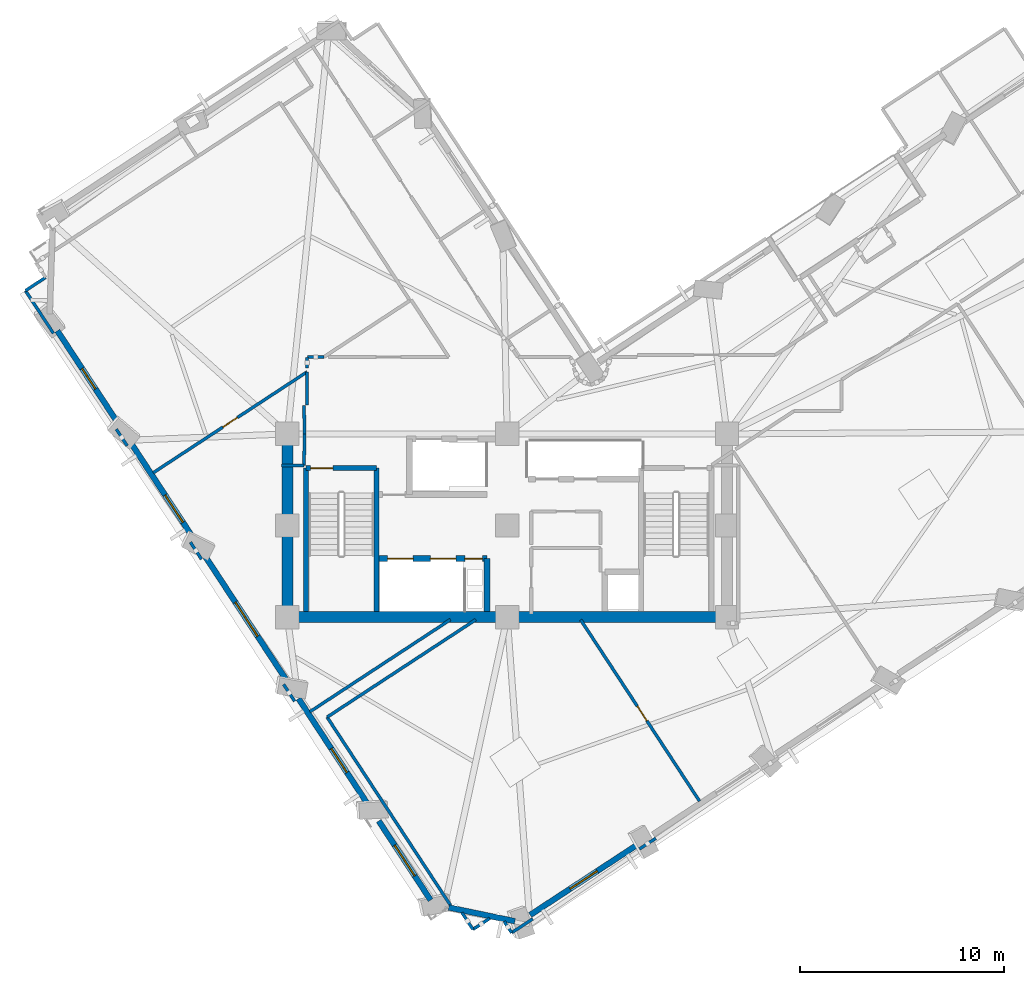
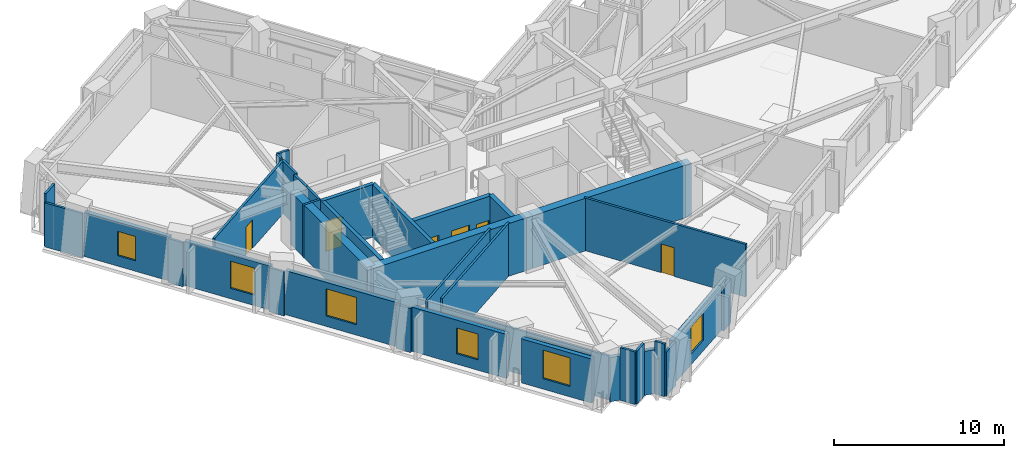
# One storey, part 5 of 14: 36 walls, 6 doors, 6 windows, 12 openings.
"""IFC4 building model written with IfcOpenShell, lengths in metres."""

import ifcopenshell
import ifcopenshell.guid

model = None  # the IFC model being written
_history = None  # IfcOwnerHistory: only IFC2X3 demands one
_inside = {}  # id of a spatial element -> (the spatial element, [elements in it])
_under = {}  # id of a project, library or spatial element -> (it, [spatial elements below it])
_declared = {}  # id of a project -> (the project, [libraries it declares])
_typed = {}  # id of a type object -> (the type object, [elements of that type])
_made_of = {}  # id of a material, layer set ... -> (it, [elements and type objects made of it])


def new_model(schema):
    """Start an empty IFC model of exactly this schema.

    Asked for "IFC4X3", IfcOpenShell would pick the latest addendum, in which some entities
    have other attributes; the version numbers below select the first issue.
    IFC2X3 requires an IfcOwnerHistory on every rooted entity: one is made here for all.
    """
    global model, _history
    if schema == "IFC4X3":
        model = ifcopenshell.file(schema_version=(4, 3, 0, 0))
    else:
        model = ifcopenshell.file(schema=schema)
    _inside.clear()
    _under.clear()
    _declared.clear()
    _typed.clear()
    _made_of.clear()
    _history = None
    if model.schema == "IFC2X3":
        org = make("IfcOrganization", Name="unknown")
        user = make(
            "IfcPersonAndOrganization",
            ThePerson=make("IfcPerson", FamilyName="unknown"),
            TheOrganization=org,
        )
        app = make(
            "IfcApplication",
            ApplicationDeveloper=org,
            Version="unknown",
            ApplicationFullName="unknown",
            ApplicationIdentifier="unknown",
        )
        _history = make(
            "IfcOwnerHistory",
            OwningUser=user,
            OwningApplication=app,
            ChangeAction="ADDED",
            CreationDate=0,
        )
    return model


def make(cls, **values):
    """One entity of the class cls with the attributes given. An attribute that is None is left unset."""
    return model.create_entity(
        cls, **{name: value for name, value in values.items() if value is not None}
    )


def rooted(cls, **values):
    """An entity with a GlobalId (a new one), such as an element, a storey or a relation."""
    return make(cls, GlobalId=ifcopenshell.guid.new(), OwnerHistory=_history, **values)


def si_unit(unit_type, name, prefix=None):
    """IfcSIUnit, for example si_unit("LENGTHUNIT", "METRE", prefix="MILLI")."""
    return make("IfcSIUnit", UnitType=unit_type, Prefix=prefix, Name=name)


def assignment(units):
    """IfcUnitAssignment: the units of a project."""
    return None if units is None else make("IfcUnitAssignment", Units=units)


def point(xyz):
    """IfcCartesianPoint."""
    return None if xyz is None else make("IfcCartesianPoint", Coordinates=xyz)


def direction(xyz):
    """IfcDirection."""
    return None if xyz is None else make("IfcDirection", DirectionRatios=xyz)


def frame(location, z_axis=None, x_axis=None):
    """IfcAxis2Placement3D, a coordinate frame: its origin and axes. An axis left out is left unset."""
    return make(
        "IfcAxis2Placement3D",
        Location=point(location),
        Axis=direction(z_axis),
        RefDirection=direction(x_axis),
    )


def frame_2d(location, x_axis=None):
    """IfcAxis2Placement2D, a coordinate frame in the plane: its origin and x axis."""
    return make(
        "IfcAxis2Placement2D", Location=point(location), RefDirection=direction(x_axis)
    )


def origin():
    """The frame at (0, 0, 0) with its axes left unset."""
    return frame((0.0, 0.0, 0.0))


def place(relative_to, where):
    """IfcLocalPlacement: puts the frame where relative to a parent placement (None: the world)."""
    return make(
        "IfcLocalPlacement", PlacementRelTo=relative_to, RelativePlacement=where
    )


def context(
    kind, dimensions, precision=None, world=None, true_north=None, identifier=None
):
    """IfcGeometricRepresentationContext, for example the 3D "Model" context."""
    return make(
        "IfcGeometricRepresentationContext",
        ContextIdentifier=identifier,
        ContextType=kind,
        CoordinateSpaceDimension=dimensions,
        Precision=precision,
        WorldCoordinateSystem=world,
        TrueNorth=true_north,
    )


def subcontext(parent, identifier, kind, view, scale=None):
    """IfcGeometricRepresentationSubContext, for example "Body" below "Model"."""
    return make(
        "IfcGeometricRepresentationSubContext",
        ContextIdentifier=identifier,
        ContextType=kind,
        ParentContext=parent,
        TargetScale=scale,
        TargetView=view,
    )


def project(units=None, contexts=None):
    """IfcProject with its units and contexts."""
    return rooted(
        "IfcProject",
        Name="project",
        RepresentationContexts=contexts,
        UnitsInContext=assignment(units),
    )


def spatial(cls, under=None, at=None, **own):
    """A site, building, storey or space (cls), placed at a placement, below another one or the project."""
    s = rooted(cls, ObjectPlacement=at, **own)
    if under is not None:
        _under.setdefault(under.id(), (under, []))[1].append(s)
    return s


def profile(cls, at=None, kind="AREA", **sizes):
    """A parametric profile (cls). Its sizes go by their IFC names, for example OverallWidth=200.0."""
    return make(cls, ProfileType=kind, Position=at, **sizes)


def rectangle(**sizes):
    """IfcRectangleProfileDef."""
    return profile("IfcRectangleProfileDef", **sizes)


def extrude(swept, where, along, depth):
    """IfcExtrudedAreaSolid: the profile swept, set in the frame where, extruded along a direction by depth."""
    return make(
        "IfcExtrudedAreaSolid",
        SweptArea=swept,
        Position=where,
        ExtrudedDirection=direction(along),
        Depth=depth,
    )


def shape(context_of_items, identifier, shape_type, items):
    """IfcShapeRepresentation: the items that make up one representation, for example the "Body"."""
    return make(
        "IfcShapeRepresentation",
        ContextOfItems=context_of_items,
        RepresentationIdentifier=identifier,
        RepresentationType=shape_type,
        Items=items,
    )


def material(Name=None, Category=None):
    """IfcMaterial."""
    return make("IfcMaterial", Name=Name, Category=Category)


def layer(
    of_material, thickness, ventilated=None, Name=None, Category=None, Priority=None
):
    """IfcMaterialLayer: one layer of a wall or slab, of a material (None: an air gap)."""
    return make(
        "IfcMaterialLayer",
        Material=of_material,
        LayerThickness=thickness,
        IsVentilated=ventilated,
        Name=Name,
        Category=Category,
        Priority=Priority,
    )


def layer_set(layers, Name=None):
    """IfcMaterialLayerSet."""
    return make("IfcMaterialLayerSet", MaterialLayers=layers, LayerSetName=Name)


def made_of(thing, what):
    """Note that an element or type object is made of a material, layer set ...; save() writes the relation."""
    if what is not None:
        _made_of.setdefault(what.id(), (what, []))[1].append(thing)
    return thing


def type_object(cls, material=None, **own):
    """A type object (cls), such as IfcWallType, which elements share."""
    return made_of(rooted(cls, **own), material)


def element(
    cls,
    number,
    at=None,
    inside=None,
    cuts=None,
    type_object=None,
    material=None,
    context=None,
    identifier="Body",
    shape_type=None,
    held_by="IfcProductDefinitionShape",
    body=None,
    shapes=None,
    **own,
):
    """One element of the class cls, such as IfcWall. Its Tag is "e" and its number.

    at: its placement. inside: the storey or other place that contains it. cuts: it is an
    opening in that element (IfcRelVoidsElement). A single representation is given by context,
    identifier, shape_type and body (its items); several are given by shapes. held_by: the class
    of the entity that holds the representations. save() writes the other relations.
    """
    e = rooted(cls, Tag="e%d" % number, ObjectPlacement=at, **own)
    if body is not None:
        shapes = [shape(context, identifier, shape_type, body)]
    if shapes is not None:
        e.Representation = make(held_by, Representations=shapes)
    if inside is not None:
        _inside.setdefault(inside.id(), (inside, []))[1].append(e)
    if cuts is not None:
        rooted(
            "IfcRelVoidsElement", RelatingBuildingElement=cuts, RelatedOpeningElement=e
        )
    if type_object is not None:
        _typed.setdefault(type_object.id(), (type_object, []))[1].append(e)
    return made_of(e, material)


def fill(opening, filler):
    """IfcRelFillsElement: the door or window that sits in an opening."""
    return rooted(
        "IfcRelFillsElement",
        RelatingOpeningElement=opening,
        RelatedBuildingElement=filler,
    )


def aggregate(whole, parts):
    """IfcRelAggregates: a whole, such as a stair, and the parts it consists of."""
    return rooted("IfcRelAggregates", RelatingObject=whole, RelatedObjects=parts)


def save(model, path):
    """Write the relations noted so far, then the file.

    IfcRelAggregates (storeys below a building ...), IfcRelContainedInSpatialStructure (elements
    in a storey), IfcRelDefinesByType, IfcRelAssociatesMaterial and IfcRelDeclares: one each for
    every whole, place, type object, material and project.
    """
    for whole, parts in _under.values():
        aggregate(whole, parts)
    for where, things in _inside.values():
        rooted(
            "IfcRelContainedInSpatialStructure",
            RelatedElements=things,
            RelatingStructure=where,
        )
    for kind, things in _typed.values():
        rooted("IfcRelDefinesByType", RelatedObjects=things, RelatingType=kind)
    for what, things in _made_of.values():
        rooted("IfcRelAssociatesMaterial", RelatedObjects=things, RelatingMaterial=what)
    for by, libraries in _declared.values():
        rooted("IfcRelDeclares", RelatingContext=by, RelatedDefinitions=libraries)
    model.write(path)


model = new_model("IFC4")

# Units and contexts
model_context = context("Model", 3, precision=1e-05, world=origin(), true_north=direction((0.0, 1.0)))
body_context = subcontext(model_context, "Body", "Model", "MODEL_VIEW")
ifc_project = project(units=[si_unit("LENGTHUNIT", "METRE"), si_unit("AREAUNIT", "SQUARE_METRE"), si_unit("VOLUMEUNIT", "CUBIC_METRE"), si_unit("PLANEANGLEUNIT", "RADIAN"), si_unit("MASSUNIT", "GRAM", prefix="KILO")], contexts=[model_context])

# Site, building, storey
site_placement = place(None, origin())
site = spatial("IfcSite", under=ifc_project, at=site_placement, CompositionType="ELEMENT")
building_placement = place(site_placement, origin())
building = spatial("IfcBuilding", under=site, at=building_placement, Name="Gaonmaruhae Medical Tower", CompositionType="ELEMENT")
storey_placement = place(building_placement, frame((0.0, 0.0, 165.800048828125)))
storey = spatial("IfcBuildingStorey", under=building, at=storey_placement, Name="L39", CompositionType="ELEMENT", Elevation=165.800048828125)

# Walls
ifc_material_1 = material(Name="Concrete C50/60", Category="concrete")
ifc_layer_1 = layer(ifc_material_1, 0.550048828125)
ifc_layer_set_1 = layer_set([ifc_layer_1], Name="Concrete C50/60")
wall_type_1 = type_object("IfcWallType", Name="CW-550 Mid-High Core Shear Wall", PredefinedType="SHEAR", material=ifc_layer_set_1)
for number, where, z_axis, x_axis, name in (
    (1, (14.0, 7.800048828125, 0.0), (0.0, 0.0, 1.0), (1.0, 0.0, 0.0), "L39 Core Shear Wall CSW-S1"),
    (2, (24.800048828125, 7.800048828125, 0.0), (0.0, 0.0, 1.0), (1.0, 0.0, 0.0), "L39 Core Shear Wall CSW-S2"),
):
    element("IfcWall", number, at=place(storey_placement, frame(where, z_axis=z_axis, x_axis=x_axis)), inside=storey, type_object=wall_type_1, Name=name, PredefinedType="SHEAR", context=body_context, shape_type="SweptSolid", body=[
        extrude(rectangle(XDim=10.800048828125, YDim=0.550048828125, at=frame_2d((5.39990234375, 0.0))), origin(), (0.0, 0.0, 1.0), 3.780029296875),
    ])
wall_1_placement = place(storey_placement, frame((14.0, 16.800048828125, 0.0), z_axis=(0.0, 0.0, 1.0), x_axis=(0.0, -1.0, 0.0)))
element("IfcWall", 3, at=wall_1_placement, inside=storey, type_object=wall_type_1, Name="L39 Core Shear Wall CSW-W1", PredefinedType="SHEAR", context=body_context, shape_type="SweptSolid", body=[
    extrude(rectangle(XDim=9.0, YDim=0.550048828125, at=frame_2d((4.5, 0.0))), origin(), (0.0, 0.0, 1.0), 3.780029296875),
])

# Wall, opening, window
ifc_material_2 = material(Name="Precast concrete C45/55", Category="concrete")
ifc_layer_2 = layer(ifc_material_2, 0.280029296875)
ifc_layer_set_2 = layer_set([ifc_layer_2], Name="Precast concrete C45/55")
wall_type_2 = type_object("IfcWallType", Name="EW-280 Upper Precast Masonry-Frame Facade Wall", PredefinedType="SOLIDWALL", material=ifc_layer_set_2)
wall_2_placement = place(storey_placement, frame((31.1728515625, -3.397216796875, 0.0), z_axis=(0.0, 0.0, 1.0), x_axis=(-0.836314611735, -0.548249824622, 0.0)))
wall_2 = element("IfcWall", 4, at=wall_2_placement, inside=storey, type_object=wall_type_2, Name="L39 Precast Masonry-Frame Wall S01-S02", PredefinedType="SOLIDWALL", context=body_context, shape_type="SweptSolid", body=[
    extrude(rectangle(XDim=6.27001953125, YDim=0.280029296875, at=frame_2d((3.135009765625, 0.0))), origin(), (0.0, 0.0, 1.0), 3.1650390625),
])
opening_1_placement = place(wall_2_placement, frame((2.329345703125, 0.0, 0.75)))
opening_1 = element("IfcOpeningElement", 5, at=opening_1_placement, cuts=wall_2, Name="Opening WN-01", PredefinedType="OPENING", context=body_context, shape_type="SweptSolid", body=[
    extrude(rectangle(XDim=1.60009765625, YDim=1.949951171875, at=frame_2d((0.800048828125, 0.97509765625))), frame((0.0, 0.14990234375, 0.0), z_axis=(0.0, -1.0, 0.0), x_axis=(1.0, 0.0, 0.0)), (0.0, 0.0, 1.0), 0.300048828125),
])
ifc_material_3 = material(Name="Anodised aluminium and Low-E double glazing", Category="aluminium")
window_type_1 = type_object("IfcWindowType", Name="WN-01 Ward Punched Acoustic Window 1600x1950", PartitioningType="SINGLE_PANEL", PredefinedType="WINDOW", material=ifc_material_3)
window_1_placement = place(opening_1_placement, origin())
window_1 = element("IfcWindow", 6, at=window_1_placement, inside=storey, type_object=window_type_1, Name="L39 Modular Facade Window S01", OverallHeight=1.949951171875, OverallWidth=1.60009765625, PartitioningType="SINGLE_PANEL", PredefinedType="WINDOW", context=body_context, shape_type="SweptSolid", body=[
    extrude(rectangle(XDim=1.60009765625, YDim=1.949951171875, at=frame_2d((0.800048828125, 0.97509765625))), frame((0.0, 0.030029296875, 0.0), z_axis=(0.0, -1.0, 0.0), x_axis=(1.0, 0.0, 0.0)), (0.0, 0.0, 1.0), 0.06005859375),
])
fill(opening_1, window_1)

wall_3_placement = place(storey_placement, frame((5.7841796875, 17.16162109375, 0.0), z_axis=(0.0, 0.0, 1.0), x_axis=(-0.548276389783, 0.836297196221, 0.0)))
wall_3 = element("IfcWall", 7, at=wall_3_placement, inside=storey, type_object=wall_type_2, Name="L39 Precast Masonry-Frame Wall W01-W02", PredefinedType="SOLIDWALL", context=body_context, shape_type="SweptSolid", body=[
    extrude(rectangle(XDim=5.62744140625, YDim=0.280029296875, at=frame_2d((2.813720703125, 0.0))), origin(), (0.0, 0.0, 1.0), 3.1650390625),
])
opening_2_placement = place(wall_3_placement, frame((2.211181640625, 0.0, 0.75)))
opening_2 = element("IfcOpeningElement", 8, at=opening_2_placement, cuts=wall_3, Name="Opening WN-05", PredefinedType="OPENING", context=body_context, shape_type="SweptSolid", body=[
    extrude(rectangle(XDim=1.199951171875, YDim=1.75, at=frame_2d((0.60009765625, 0.875))), frame((0.0, 0.14990234375, 0.0), z_axis=(0.0, -1.0, 0.0), x_axis=(1.0, 0.0, 0.0)), (0.0, 0.0, 1.0), 0.300048828125),
])
window_type_2 = type_object("IfcWindowType", Name="WN-05 Support & Staff Punched Window 1200x1750", PartitioningType="SINGLE_PANEL", PredefinedType="WINDOW", material=ifc_material_3)
window_2_placement = place(opening_2_placement, origin())
window_2 = element("IfcWindow", 9, at=window_2_placement, inside=storey, type_object=window_type_2, Name="L39 Modular Facade Window W01", OverallHeight=1.75, OverallWidth=1.199951171875, PartitioningType="SINGLE_PANEL", PredefinedType="WINDOW", context=body_context, shape_type="SweptSolid", body=[
    extrude(rectangle(XDim=1.199951171875, YDim=1.75, at=frame_2d((0.60009765625, 0.875))), frame((0.0, 0.030029296875, 0.0), z_axis=(0.0, -1.0, 0.0), x_axis=(1.0, 0.0, 0.0)), (0.0, 0.0, 1.0), 0.06005859375),
])
fill(opening_2, window_2)

wall_4_placement = place(storey_placement, frame((9.427734375, 11.6044921875, 0.0), z_axis=(0.0, 0.0, 1.0), x_axis=(-0.548325820941, 0.836264787068, 0.0)))
wall_4 = element("IfcWall", 10, at=wall_4_placement, inside=storey, type_object=wall_type_2, Name="L39 Precast Masonry-Frame Wall W02-W03", PredefinedType="SOLIDWALL", context=body_context, shape_type="SweptSolid", body=[
    extrude(rectangle(XDim=5.662109375, YDim=0.280029296875, at=frame_2d((2.8310546875, 0.0))), origin(), (0.0, 0.0, 1.0), 3.1650390625),
])
opening_3_placement = place(wall_4_placement, frame((1.0234375, 0.0, 0.75)))
opening_3 = element("IfcOpeningElement", 11, at=opening_3_placement, cuts=wall_4, Name="Opening WN-01", PredefinedType="OPENING", context=body_context, shape_type="SweptSolid", body=[
    extrude(rectangle(XDim=1.60009765625, YDim=1.949951171875, at=frame_2d((0.800048828125, 0.97509765625))), frame((0.0, 0.14990234375, 0.0), z_axis=(0.0, -1.0, 0.0), x_axis=(1.0, 0.0, 0.0)), (0.0, 0.0, 1.0), 0.300048828125),
])
window_3_placement = place(opening_3_placement, origin())
window_3 = element("IfcWindow", 12, at=window_3_placement, inside=storey, type_object=window_type_1, Name="L39 Modular Facade Window W02", OverallHeight=1.949951171875, OverallWidth=1.60009765625, PartitioningType="SINGLE_PANEL", PredefinedType="WINDOW", context=body_context, shape_type="SweptSolid", body=[
    extrude(rectangle(XDim=1.60009765625, YDim=1.949951171875, at=frame_2d((0.800048828125, 0.97509765625))), frame((0.0, 0.030029296875, 0.0), z_axis=(0.0, -1.0, 0.0), x_axis=(1.0, 0.0, 0.0)), (0.0, 0.0, 1.0), 0.06005859375),
])
fill(opening_3, window_3)

wall_5_placement = place(storey_placement, frame((14.007080078125, 4.61962890625, 0.0), z_axis=(0.0, 0.0, 1.0), x_axis=(-0.548276723144, 0.836296977669, 0.0)))
wall_5 = element("IfcWall", 13, at=wall_5_placement, inside=storey, type_object=wall_type_2, Name="L39 Precast Masonry-Frame Wall W03-W04", PredefinedType="SOLIDWALL", context=body_context, shape_type="SweptSolid", body=[
    extrude(rectangle(XDim=7.360107421875, YDim=0.280029296875, at=frame_2d((3.68017578125, 0.0))), origin(), (0.0, 0.0, 1.0), 3.1650390625),
])
opening_4_placement = place(wall_5_placement, frame((2.680908203125, 0.0, 0.75)))
opening_4 = element("IfcOpeningElement", 14, at=opening_4_placement, cuts=wall_5, Name="Opening WN-02", PredefinedType="OPENING", context=body_context, shape_type="SweptSolid", body=[
    extrude(rectangle(XDim=2.0, YDim=1.949951171875, at=frame_2d((1.0, 0.97509765625))), frame((0.0, 0.14990234375, 0.0), z_axis=(0.0, -1.0, 0.0), x_axis=(1.0, 0.0, 0.0)), (0.0, 0.0, 1.0), 0.300048828125),
])
window_type_3 = type_object("IfcWindowType", Name="WN-02 Double-Bed Ward Punched Window 2000x1950", PartitioningType="SINGLE_PANEL", PredefinedType="WINDOW", material=ifc_material_3)
window_4_placement = place(opening_4_placement, origin())
window_4 = element("IfcWindow", 15, at=window_4_placement, inside=storey, type_object=window_type_3, Name="L39 Modular Facade Window W03", OverallHeight=1.949951171875, OverallWidth=2.0, PartitioningType="SINGLE_PANEL", PredefinedType="WINDOW", context=body_context, shape_type="SweptSolid", body=[
    extrude(rectangle(XDim=2.0, YDim=1.949951171875, at=frame_2d((1.0, 0.97509765625))), frame((0.0, 0.030029296875, 0.0), z_axis=(0.0, -1.0, 0.0), x_axis=(1.0, 0.0, 0.0)), (0.0, 0.0, 1.0), 0.06005859375),
])
fill(opening_4, window_4)

wall_6_placement = place(storey_placement, frame((17.960205078125, -1.409912109375, 0.0), z_axis=(0.0, 0.0, 1.0), x_axis=(-0.548274209284, 0.836298625752, 0.0)))
wall_6 = element("IfcWall", 16, at=wall_6_placement, inside=storey, type_object=wall_type_2, Name="L39 Precast Masonry-Frame Wall W04-W05", PredefinedType="SOLIDWALL", context=body_context, shape_type="SweptSolid", body=[
    extrude(rectangle(XDim=6.223388671875, YDim=0.280029296875, at=frame_2d((3.11181640625, 0.0))), origin(), (0.0, 0.0, 1.0), 3.1650390625),
])
opening_5_placement = place(wall_6_placement, frame((1.8876953125, 0.0, 0.75)))
opening_5 = element("IfcOpeningElement", 17, at=opening_5_placement, cuts=wall_6, Name="Opening WN-03", PredefinedType="OPENING", context=body_context, shape_type="SweptSolid", body=[
    extrude(rectangle(XDim=1.39990234375, YDim=1.85009765625, at=frame_2d((0.699951171875, 0.925048828125))), frame((0.0, 0.14990234375, 0.0), z_axis=(0.0, -1.0, 0.0), x_axis=(1.0, 0.0, 0.0)), (0.0, 0.0, 1.0), 0.300048828125),
])
window_type_4 = type_object("IfcWindowType", Name="WN-03 Isolation Ward Punched Window 1400x1850", PartitioningType="SINGLE_PANEL", PredefinedType="WINDOW", material=ifc_material_3)
window_5_placement = place(opening_5_placement, origin())
window_5 = element("IfcWindow", 18, at=window_5_placement, inside=storey, type_object=window_type_4, Name="L39 Modular Facade Window W04", OverallHeight=1.85009765625, OverallWidth=1.39990234375, PartitioningType="SINGLE_PANEL", PredefinedType="WINDOW", context=body_context, shape_type="SweptSolid", body=[
    extrude(rectangle(XDim=1.39990234375, YDim=1.85009765625, at=frame_2d((0.699951171875, 0.925048828125))), frame((0.0, 0.030029296875, 0.0), z_axis=(0.0, -1.0, 0.0), x_axis=(1.0, 0.0, 0.0)), (0.0, 0.0, 1.0), 0.06005859375),
])
fill(opening_5, window_5)

wall_7_placement = place(storey_placement, frame((21.037841796875, -6.10400390625, 0.0), z_axis=(0.0, 0.0, 1.0), x_axis=(-0.54827084168, 0.83630083353, 0.0)))
wall_7 = element("IfcWall", 19, at=wall_7_placement, inside=storey, type_object=wall_type_2, Name="L39 Precast Masonry-Frame Wall W05-W06", PredefinedType="SOLIDWALL", context=body_context, shape_type="SweptSolid", body=[
    extrude(rectangle(XDim=4.6474609375, YDim=0.280029296875, at=frame_2d((2.32373046875, 0.0))), origin(), (0.0, 0.0, 1.0), 3.1650390625),
])
opening_6_placement = place(wall_7_placement, frame((1.427001953125, 0.0, 0.75)))
opening_6 = element("IfcOpeningElement", 20, at=opening_6_placement, cuts=wall_7, Name="Opening WN-04", PredefinedType="OPENING", context=body_context, shape_type="SweptSolid", body=[
    extrude(rectangle(XDim=1.800048828125, YDim=2.050048828125, at=frame_2d((0.89990234375, 1.02490234375))), frame((0.0, 0.14990234375, 0.0), z_axis=(0.0, -1.0, 0.0), x_axis=(1.0, 0.0, 0.0)), (0.0, 0.0, 1.0), 0.300048828125),
])
window_type_5 = type_object("IfcWindowType", Name="WN-04 Clinic & Consult Punched Window 1800x2050", PartitioningType="SINGLE_PANEL", PredefinedType="WINDOW", material=ifc_material_3)
window_6_placement = place(opening_6_placement, origin())
window_6 = element("IfcWindow", 21, at=window_6_placement, inside=storey, type_object=window_type_5, Name="L39 Modular Facade Window W05", OverallHeight=2.050048828125, OverallWidth=1.800048828125, PartitioningType="SINGLE_PANEL", PredefinedType="WINDOW", context=body_context, shape_type="SweptSolid", body=[
    extrude(rectangle(XDim=1.800048828125, YDim=2.050048828125, at=frame_2d((0.89990234375, 1.02490234375))), frame((0.0, 0.030029296875, 0.0), z_axis=(0.0, -1.0, 0.0), x_axis=(1.0, 0.0, 0.0)), (0.0, 0.0, 1.0), 0.06005859375),
])
fill(opening_6, window_6)

# Walls
wall_8_placement = place(storey_placement, frame((25.17626953125, -7.140380859375, 0.0), z_axis=(0.0, 0.0, 1.0), x_axis=(-0.979039670947, 0.203669641116, 0.0)))
element("IfcWall", 22, at=wall_8_placement, inside=storey, type_object=wall_type_2, Name="L39 Precast Masonry-Frame Wall W06-S01", PredefinedType="SOLIDWALL", context=body_context, shape_type="SweptSolid", body=[
    extrude(rectangle(XDim=3.32275390625, YDim=0.280029296875, at=frame_2d((1.661376953125, 0.0))), origin(), (0.0, 0.0, 1.0), 3.1650390625),
])
ifc_material_4 = material(Name="Gypsum board partition", Category="gypsum")
ifc_layer_3 = layer(ifc_material_4, 0.14990234375)
ifc_layer_set_3 = layer_set([ifc_layer_3], Name="Gypsum board partition")
wall_type_3 = type_object("IfcWallType", Name="PW-150 Rated Clinical Corridor Partition", PredefinedType="PARTITIONING", material=ifc_layer_set_3)
wall_9_placement = place(storey_placement, frame((23.116943359375, -7.54296875, 0.0), z_axis=(0.0, 0.0, 1.0), x_axis=(-0.547948700451, 0.836511937556, 0.0)))
element("IfcWall", 23, at=wall_9_placement, inside=storey, type_object=wall_type_3, Name="L39 Interior Partition L39-SUP01-7", PredefinedType="PARTITIONING", context=body_context, shape_type="SweptSolid", body=[
    extrude(rectangle(XDim=0.9873046875, YDim=0.14990234375, at=frame_2d((0.49365234375, 0.0))), origin(), (0.0, 0.0, 1.0), 3.780029296875),
])
wall_10_placement = place(storey_placement, frame((22.01708984375, -6.365966796875, 0.0), z_axis=(0.0, 0.0, 1.0), x_axis=(-0.548313195413, 0.836273065294, 0.0)))
element("IfcWall", 24, at=wall_10_placement, inside=storey, type_object=wall_type_3, Name="L39 Interior Partition L39-SUP01-8", PredefinedType="PARTITIONING", context=body_context, shape_type="SweptSolid", body=[
    extrude(rectangle(XDim=11.063232421875, YDim=0.14990234375, at=frame_2d((5.53173828125, 0.0))), origin(), (0.0, 0.0, 1.0), 3.1650390625),
])
wall_11_placement = place(storey_placement, frame((15.950927734375, 2.885986328125, 0.0), z_axis=(0.0, 0.0, 1.0), x_axis=(0.83630823453, 0.548259552454, 0.0)))
element("IfcWall", 25, at=wall_11_placement, inside=storey, type_object=wall_type_3, Name="L39 Interior Partition L39-SUP01-9", PredefinedType="PARTITIONING", context=body_context, shape_type="SweptSolid", body=[
    extrude(rectangle(XDim=8.735107421875, YDim=0.14990234375, at=frame_2d((4.36767578125, 0.0))), origin(), (0.0, 0.0, 1.0), 3.780029296875),
])

# Wall, opening, door
wall_12_placement = place(storey_placement, frame((28.409912109375, 7.666015625, 0.0), z_axis=(0.0, 0.0, 1.0), x_axis=(0.548278394719, -0.836295881782, 0.0)))
wall_12 = element("IfcWall", 26, at=wall_12_placement, inside=storey, type_object=wall_type_3, Name="L39 Interior Partition L39-SUP01-10", PredefinedType="PARTITIONING", context=body_context, shape_type="SweptSolid", body=[
    extrude(rectangle(XDim=10.651611328125, YDim=0.14990234375, at=frame_2d((5.32568359375, 0.0))), origin(), (0.0, 0.0, 1.0), 3.780029296875),
])
opening_7_placement = place(wall_12_placement, frame((5.0751953125, 0.0, 0.0)))
opening_7 = element("IfcOpeningElement", 27, at=opening_7_placement, cuts=wall_12, Name="Opening AD-01", PredefinedType="OPENING", context=body_context, shape_type="SweptSolid", body=[
    extrude(rectangle(XDim=0.860107421875, YDim=2.06005859375, at=frame_2d((0.43017578125, 1.030029296875))), frame((0.0, 0.0849609375, 0.0), z_axis=(0.0, -1.0, 0.0), x_axis=(1.0, 0.0, 0.0)), (0.0, 0.0, 1.0), 0.169921875),
])
ifc_material_5 = material(Name="Powder-coated steel access door", Category="steel")
door_type_1 = type_object("IfcDoorType", Name="AD-01 Riser & Closet Access Fire Door 860x2060", OperationType="NOTDEFINED", PredefinedType="DOOR", material=ifc_material_5)
door_1_placement = place(opening_7_placement, origin())
door_1 = element("IfcDoor", 28, at=door_1_placement, inside=storey, type_object=door_type_1, Name="L39 Clinical Biomedical Charting Office Sliding Door", OperationType="SLIDING_TO_LEFT", OverallHeight=2.06005859375, OverallWidth=0.860107421875, PredefinedType="DOOR", context=body_context, shape_type="SweptSolid", body=[
    extrude(rectangle(XDim=0.860107421875, YDim=2.06005859375, at=frame_2d((0.43017578125, 1.030029296875))), frame((0.0, 0.02490234375, 0.0), z_axis=(0.0, -1.0, 0.0), x_axis=(1.0, 0.0, 0.0)), (0.0, 0.0, 1.0), 0.050048828125),
])
fill(opening_7, door_1)

# Walls
wall_13_placement = place(storey_placement, frame((32.094970703125, -3.068115234375, 0.0), z_axis=(0.0, 0.0, 1.0), x_axis=(-0.836680133677, -0.547691842106, 0.0)))
element("IfcWall", 29, at=wall_13_placement, inside=storey, type_object=wall_type_3, Name="L39 Interior Partition L39-SUP01-11", PredefinedType="PARTITIONING", context=body_context, shape_type="SweptSolid", body=[
    extrude(rectangle(XDim=0.951171875, YDim=0.14990234375, at=frame_2d((0.4755859375, 0.0))), origin(), (0.0, 0.0, 1.0), 3.1650390625),
])
wall_14_placement = place(storey_placement, frame((26.054931640625, -7.027099609375, 0.0), z_axis=(0.0, 0.0, 1.0), x_axis=(-0.836236966422, -0.548368248525, 0.0)))
element("IfcWall", 30, at=wall_14_placement, inside=storey, type_object=wall_type_3, Name="L39 Interior Partition L39-SUP01-12", PredefinedType="PARTITIONING", context=body_context, shape_type="SweptSolid", body=[
    extrude(rectangle(XDim=1.239990234375, YDim=0.14990234375, at=frame_2d((0.6201171875, 0.0))), origin(), (0.0, 0.0, 1.0), 3.1650390625),
])
wall_15_placement = place(storey_placement, frame((25.01806640625, -7.70703125, 0.0), z_axis=(0.0, 0.0, 1.0), x_axis=(-0.548352768536, 0.836247117328, 0.0)))
element("IfcWall", 31, at=wall_15_placement, inside=storey, type_object=wall_type_3, Name="L39 Interior Partition L39-SUP01-13", PredefinedType="PARTITIONING", context=body_context, shape_type="SweptSolid", body=[
    extrude(rectangle(XDim=0.66748046875, YDim=0.14990234375, at=frame_2d((0.333740234375, 0.0))), origin(), (0.0, 0.0, 1.0), 3.780029296875),
])
wall_16_placement = place(storey_placement, frame((23.94189453125, -7.0009765625, 0.0), z_axis=(0.0, 0.0, 1.0), x_axis=(-0.835760612203, -0.549093980198, 0.0)))
element("IfcWall", 32, at=wall_16_placement, inside=storey, type_object=wall_type_3, Name="L39 Interior Partition L39-SUP01-14", PredefinedType="PARTITIONING", context=body_context, shape_type="SweptSolid", body=[
    extrude(rectangle(XDim=0.987060546875, YDim=0.14990234375, at=frame_2d((0.49365234375, 0.0))), origin(), (0.0, 0.0, 1.0), 3.780029296875),
])
wall_17_placement = place(storey_placement, frame((14.820068359375, 18.199951171875, 0.0), z_axis=(0.0, 0.0, 1.0), x_axis=(0.01499656939, -0.99988754513, 0.0)))
element("IfcWall", 33, at=wall_17_placement, inside=storey, type_object=wall_type_3, Name="L39 Interior Partition L39-WOF05-35", PredefinedType="PARTITIONING", context=body_context, shape_type="SweptSolid", body=[
    extrude(rectangle(XDim=1.400146484375, YDim=0.14990234375, at=frame_2d((0.7001953125, 0.0))), origin(), (0.0, 0.0, 1.0), 3.780029296875),
])
wall_18_placement = place(storey_placement, frame((14.841064453125, 16.800048828125, 0.0), z_axis=(0.0, 0.0, 1.0), x_axis=(-0.01363221443, -0.999907077048, 0.0)))
element("IfcWall", 34, at=wall_18_placement, inside=storey, type_object=wall_type_3, Name="L39 Interior Partition L39-WOF05-36", PredefinedType="PARTITIONING", context=body_context, shape_type="SweptSolid", body=[
    extrude(rectangle(XDim=1.540283203125, YDim=0.14990234375, at=frame_2d((0.77001953125, 0.0))), origin(), (0.0, 0.0, 1.0), 3.780029296875),
])
wall_19_placement = place(storey_placement, frame((14.820068359375, 15.260009765625, 0.0), z_axis=(0.0, 0.0, 1.0), x_axis=(-1.0, 0.0, 0.0)))
element("IfcWall", 35, at=wall_19_placement, inside=storey, type_object=wall_type_3, Name="L39 Interior Partition L39-WOF05-37", PredefinedType="PARTITIONING", context=body_context, shape_type="SweptSolid", body=[
    extrude(rectangle(XDim=1.1201171875, YDim=0.14990234375, at=frame_2d((0.56005859375, 0.0))), origin(), (0.0, 0.0, 1.0), 3.780029296875),
])
wall_20_placement = place(storey_placement, frame((22.007080078125, 7.675048828125, 0.0), z_axis=(0.0, 0.0, 1.0), x_axis=(-0.836273059924, -0.548313203603, 0.0)))
element("IfcWall", 36, at=wall_20_placement, inside=storey, type_object=wall_type_3, Name="L39 Interior Partition L39-WOF05-38", PredefinedType="PARTITIONING", context=body_context, shape_type="SweptSolid", body=[
    extrude(rectangle(XDim=8.2509765625, YDim=0.14990234375, at=frame_2d((4.12548828125, 0.0))), origin(), (0.0, 0.0, 1.0), 3.780029296875),
])
wall_21_placement = place(storey_placement, frame((14.35595703125, 3.6689453125, 0.0), z_axis=(0.0, 0.0, 1.0), x_axis=(-0.548402354123, 0.836214600442, 0.0)))
element("IfcWall", 37, at=wall_21_placement, inside=storey, type_object=wall_type_3, Name="L39 Interior Partition L39-WOF05-39", PredefinedType="PARTITIONING", context=body_context, shape_type="SweptSolid", body=[
    extrude(rectangle(XDim=0.986572265625, YDim=0.14990234375, at=frame_2d((0.4931640625, 0.0))), origin(), (0.0, 0.0, 1.0), 3.1650390625),
])
wall_22_placement = place(storey_placement, frame((9.779052734375, 10.64892578125, 0.0), z_axis=(0.0, 0.0, 1.0), x_axis=(-0.547408513128, 0.83686553266, 0.0)))
element("IfcWall", 38, at=wall_22_placement, inside=storey, type_object=wall_type_3, Name="L39 Interior Partition L39-WOF05-40", PredefinedType="PARTITIONING", context=body_context, shape_type="SweptSolid", body=[
    extrude(rectangle(XDim=0.991943359375, YDim=0.14990234375, at=frame_2d((0.49609375, 0.0))), origin(), (0.0, 0.0, 1.0), 3.1650390625),
])

# Wall, opening, door
wall_23_placement = place(storey_placement, frame((7.408935546875, 14.89306640625, 0.0), z_axis=(0.0, 0.0, 1.0), x_axis=(0.836296330396, 0.548277710441, 0.0)))
wall_23 = element("IfcWall", 39, at=wall_23_placement, inside=storey, type_object=wall_type_3, Name="L39 Interior Partition L39-WOF05-41", PredefinedType="PARTITIONING", context=body_context, shape_type="SweptSolid", body=[
    extrude(rectangle(XDim=9.041015625, YDim=0.14990234375, at=frame_2d((4.5205078125, 0.0))), origin(), (0.0, 0.0, 1.0), 3.780029296875),
])
opening_8_placement = place(wall_23_placement, frame((4.090576171875, 0.0, 0.0)))
opening_8 = element("IfcOpeningElement", 40, at=opening_8_placement, cuts=wall_23, Name="Opening AD-01", PredefinedType="OPENING", context=body_context, shape_type="SweptSolid", body=[
    extrude(rectangle(XDim=0.860107421875, YDim=2.06005859375, at=frame_2d((0.43017578125, 1.030029296875))), frame((0.0, 0.0849609375, 0.0), z_axis=(0.0, -1.0, 0.0), x_axis=(1.0, 0.0, 0.0)), (0.0, 0.0, 1.0), 0.169921875),
])
door_2_placement = place(opening_8_placement, origin())
door_2 = element("IfcDoor", 41, at=door_2_placement, inside=storey, type_object=door_type_1, Name="L39 Ward Physician Reporting Office Sliding Door", OperationType="SLIDING_TO_LEFT", OverallHeight=2.06005859375, OverallWidth=0.860107421875, PredefinedType="DOOR", context=body_context, shape_type="SweptSolid", body=[
    extrude(rectangle(XDim=0.860107421875, YDim=2.06005859375, at=frame_2d((0.43017578125, 1.030029296875))), frame((0.0, 0.02490234375, 0.0), z_axis=(0.0, -1.0, 0.0), x_axis=(1.0, 0.0, 0.0)), (0.0, 0.0, 1.0), 0.050048828125),
])
fill(opening_8, door_2)

# Walls
wall_24_placement = place(storey_placement, frame((14.969970703125, 19.85009765625, 0.0), z_axis=(0.0, 0.0, 1.0), x_axis=(0.0, -1.0, 0.0)))
element("IfcWall", 42, at=wall_24_placement, inside=storey, type_object=wall_type_3, Name="L39 Interior Partition L39-WOF05-42", PredefinedType="PARTITIONING", context=body_context, shape_type="SweptSolid", body=[
    extrude(rectangle(XDim=1.6201171875, YDim=0.14990234375, at=frame_2d((0.81005859375, 0.0))), origin(), (0.0, 0.0, 1.0), 3.780029296875),
])
wall_25_placement = place(storey_placement, frame((14.969970703125, 20.552978515625, 0.0), z_axis=(0.0, 0.0, 1.0), x_axis=(0.0, -1.0, 0.0)))
element("IfcWall", 43, at=wall_25_placement, inside=storey, type_object=wall_type_3, Name="L39 Interior Partition L39-WOF06-43", PredefinedType="PARTITIONING", context=body_context, shape_type="SweptSolid", body=[
    extrude(rectangle(XDim=0.511962890625, YDim=0.14990234375, at=frame_2d((0.255859375, 0.0))), origin(), (0.0, 0.0, 1.0), 3.780029296875),
])
wall_26_placement = place(storey_placement, frame((6.131103515625, 16.214111328125, 0.0), z_axis=(0.0, 0.0, 1.0), x_axis=(-0.548949658778, 0.835855413411, 0.0)))
element("IfcWall", 44, at=wall_26_placement, inside=storey, type_object=wall_type_3, Name="L39 Interior Partition L39-WOF06-44", PredefinedType="PARTITIONING", context=body_context, shape_type="SweptSolid", body=[
    extrude(rectangle(XDim=0.98193359375, YDim=0.14990234375, at=frame_2d((0.490966796875, 0.0))), origin(), (0.0, 0.0, 1.0), 3.1650390625),
])
wall_27_placement = place(storey_placement, frame((2.506103515625, 21.741943359375, 0.0), z_axis=(0.0, 0.0, 1.0), x_axis=(-0.548124872295, 0.836396511453, 0.0)))
element("IfcWall", 45, at=wall_27_placement, inside=storey, type_object=wall_type_3, Name="L39 Interior Partition L39-WOF06-45", PredefinedType="PARTITIONING", context=body_context, shape_type="SweptSolid", body=[
    extrude(rectangle(XDim=2.508544921875, YDim=0.14990234375, at=frame_2d((1.25439453125, 0.0))), origin(), (0.0, 0.0, 1.0), 3.1650390625),
])
wall_28_placement = place(storey_placement, frame((1.131103515625, 23.840087890625, 0.0), z_axis=(0.0, 0.0, 1.0), x_axis=(0.836041975068, 0.548665486362, 0.0)))
element("IfcWall", 46, at=wall_28_placement, inside=storey, type_object=wall_type_3, Name="L39 Interior Partition L39-WOF06-46", PredefinedType="PARTITIONING", context=body_context, shape_type="SweptSolid", body=[
    extrude(rectangle(XDim=1.17919921875, YDim=0.14990234375, at=frame_2d((0.589599609375, 0.0))), origin(), (0.0, 0.0, 1.0), 3.780029296875),
])
wall_29_placement = place(storey_placement, frame((15.7919921875, 20.580078125, 0.0), z_axis=(0.0, 0.0, 1.0), x_axis=(-1.0, 0.0, 0.0)))
element("IfcWall", 47, at=wall_29_placement, inside=storey, type_object=wall_type_3, Name="L39 Interior Partition L39-WOF06-52", PredefinedType="PARTITIONING", context=body_context, shape_type="SweptSolid", body=[
    extrude(rectangle(XDim=0.794921875, YDim=0.14990234375, at=frame_2d((0.3974609375, 0.0))), origin(), (0.0, 0.0, 1.0), 3.780029296875),
])

# Wall, opening, door
ifc_layer_4 = layer(ifc_material_1, 0.239990234375)
ifc_layer_set_4 = layer_set([ifc_layer_4], Name="Concrete C50/60")
wall_type_4 = type_object("IfcWallType", Name="SW-240 Dogleg Stair Tight Shaft Wall", PredefinedType="SOLIDWALL", material=ifc_layer_set_4)
wall_30_placement = place(storey_placement, frame((14.919921875, 15.1201171875, 0.0), z_axis=(0.0, 0.0, 1.0), x_axis=(1.0, 0.0, 0.0)))
wall_30 = element("IfcWall", 48, at=wall_30_placement, inside=storey, type_object=wall_type_4, Name="L39 ST-01 Stair Shaft Wall SHW-ST-01-N", PredefinedType="SOLIDWALL", context=body_context, shape_type="SweptSolid", body=[
    extrude(rectangle(XDim=3.4599609375, YDim=0.239990234375, at=frame_2d((1.72998046875, 0.0))), origin(), (0.0, 0.0, 1.0), 3.780029296875),
])
opening_9_placement = place(wall_30_placement, frame((0.219970703125, 0.0, 0.0)))
opening_9 = element("IfcOpeningElement", 49, at=opening_9_placement, cuts=wall_30, Name="Opening FD-01", PredefinedType="OPENING", context=body_context, shape_type="SweptSolid", body=[
    extrude(rectangle(XDim=1.10009765625, YDim=2.14990234375, at=frame_2d((0.550048828125, 1.074951171875))), frame((0.0, 0.1298828125, 0.0), z_axis=(0.0, -1.0, 0.0), x_axis=(1.0, 0.0, 0.0)), (0.0, 0.0, 1.0), 0.260009765625),
])
ifc_material_6 = material(Name="Powder-coated steel fire door", Category="steel")
door_type_2 = type_object("IfcDoorType", Name="FD-01 Escape Stair Protected Fire Door 1100x2150", OperationType="NOTDEFINED", PredefinedType="DOOR", material=ifc_material_6)
door_3_placement = place(opening_9_placement, origin())
door_3 = element("IfcDoor", 50, at=door_3_placement, inside=storey, type_object=door_type_2, Name="L39 ST-01 Protected Escape Stair Door", OperationType="SINGLE_SWING_LEFT", OverallHeight=2.14990234375, OverallWidth=1.10009765625, PredefinedType="DOOR", context=body_context, shape_type="SweptSolid", body=[
    extrude(rectangle(XDim=1.10009765625, YDim=2.14990234375, at=frame_2d((0.550048828125, 1.074951171875))), frame((0.0, 0.02490234375, 0.0), z_axis=(0.0, -1.0, 0.0), x_axis=(1.0, 0.0, 0.0)), (0.0, 0.0, 1.0), 0.050048828125),
])
fill(opening_9, door_3)

# Walls
for number, where, z_axis, x_axis, name in (
    (51, (18.3798828125, 15.1201171875, 0.0), (0.0, 0.0, 1.0), (0.0, -1.0, 0.0), "L39 ST-01 Stair Shaft Wall SHW-ST-01-E"),
    (52, (14.919921875, 8.074951171875, 0.0), (0.0, 0.0, 1.0), (0.0, 1.0, 0.0), "L39 ST-01 Stair Shaft Wall SHW-ST-01-W"),
):
    element("IfcWall", number, at=place(storey_placement, frame(where, z_axis=z_axis, x_axis=x_axis)), inside=storey, type_object=wall_type_4, Name=name, PredefinedType="SOLIDWALL", context=body_context, shape_type="SweptSolid", body=[
        extrude(rectangle(XDim=7.045166015625, YDim=0.239990234375, at=frame_2d((3.5224609375, 0.0))), origin(), (0.0, 0.0, 1.0), 3.780029296875),
    ])

# Wall, openings, doors
ifc_layer_5 = layer(ifc_material_1, 0.300048828125)
ifc_layer_set_5 = layer_set([ifc_layer_5], Name="Concrete C50/60")
wall_type_5 = type_object("IfcWallType", Name="SW-300 Stair & Lift Hoistway Shaft Wall", PredefinedType="SOLIDWALL", material=ifc_layer_set_5)
wall_31_placement = place(storey_placement, frame((18.5, 10.679931640625, 0.0), z_axis=(0.0, 0.0, 1.0), x_axis=(1.0, 0.0, 0.0)))
wall_31 = element("IfcWall", 53, at=wall_31_placement, inside=storey, type_object=wall_type_5, Name="L39 Shaft Enclosure Wall SHW-FFN", PredefinedType="SOLIDWALL", context=body_context, shape_type="SweptSolid", body=[
    extrude(rectangle(XDim=5.300048828125, YDim=0.300048828125, at=frame_2d((2.64990234375, 0.0))), origin(), (0.0, 0.0, 1.0), 3.780029296875),
])
opening_10_placement = place(wall_31_placement, frame((4.219970703125, 0.0, 0.0)))
opening_10 = element("IfcOpeningElement", 54, at=opening_10_placement, cuts=wall_31, Name="Opening AD-01", PredefinedType="OPENING", context=body_context, shape_type="SweptSolid", body=[
    extrude(rectangle(XDim=0.860107421875, YDim=2.06005859375, at=frame_2d((0.43017578125, 1.030029296875))), frame((0.0, 0.16015625, 0.0), z_axis=(0.0, -1.0, 0.0), x_axis=(1.0, 0.0, 0.0)), (0.0, 0.0, 1.0), 0.320068359375),
])
opening_11_placement = place(wall_31_placement, frame((0.425048828125, 0.0, 0.0)))
opening_11 = element("IfcOpeningElement", 55, at=opening_11_placement, cuts=wall_31, Name="Opening LD-F1", PredefinedType="OPENING", context=body_context, shape_type="SweptSolid", body=[
    extrude(rectangle(XDim=1.25, YDim=2.179931640625, at=frame_2d((0.625, 1.08984375))), frame((0.0, 0.16015625, 0.0), z_axis=(0.0, -1.0, 0.0), x_axis=(1.0, 0.0, 0.0)), (0.0, 0.0, 1.0), 0.320068359375),
])
opening_12_placement = place(wall_31_placement, frame((2.52490234375, 0.0, 0.0)))
opening_12 = element("IfcOpeningElement", 56, at=opening_12_placement, cuts=wall_31, Name="Opening LD-F1", PredefinedType="OPENING", context=body_context, shape_type="SweptSolid", body=[
    extrude(rectangle(XDim=1.25, YDim=2.179931640625, at=frame_2d((0.625, 1.08984375))), frame((0.0, 0.16015625, 0.0), z_axis=(0.0, -1.0, 0.0), x_axis=(1.0, 0.0, 0.0)), (0.0, 0.0, 1.0), 0.320068359375),
])
door_4_placement = place(opening_10_placement, origin())
door_4 = element("IfcDoor", 57, at=door_4_placement, inside=storey, type_object=door_type_1, Name="L39 Medical Gas and MEP Riser Access Door", OperationType="SINGLE_SWING_RIGHT", OverallHeight=2.06005859375, OverallWidth=0.860107421875, PredefinedType="DOOR", context=body_context, shape_type="SweptSolid", body=[
    extrude(rectangle(XDim=0.860107421875, YDim=2.06005859375, at=frame_2d((0.43017578125, 1.030029296875))), frame((0.0, 0.02490234375, 0.0), z_axis=(0.0, -1.0, 0.0), x_axis=(1.0, 0.0, 0.0)), (0.0, 0.0, 1.0), 0.050048828125),
])
fill(opening_10, door_4)
ifc_material_7 = material(Name="Brushed stainless steel 316L landing door", Category="steel")
door_type_3 = type_object("IfcDoorType", Name="LD-F1 Firefighting & Bed Lift Sliding Landing Door 1250x2180", OperationType="NOTDEFINED", PredefinedType="DOOR", material=ifc_material_7)
door_5_placement = place(opening_11_placement, origin())
door_5 = element("IfcDoor", 58, at=door_5_placement, inside=storey, type_object=door_type_3, Name="L39 Firefighting Lift Landing Door FFL-01", OperationType="DOUBLE_DOOR_SLIDING", OverallHeight=2.179931640625, OverallWidth=1.25, PredefinedType="DOOR", context=body_context, shape_type="SweptSolid", body=[
    extrude(rectangle(XDim=1.25, YDim=2.179931640625, at=frame_2d((0.625, 1.08984375))), frame((0.0, 0.02490234375, 0.0), z_axis=(0.0, -1.0, 0.0), x_axis=(1.0, 0.0, 0.0)), (0.0, 0.0, 1.0), 0.050048828125),
])
fill(opening_11, door_5)
door_6_placement = place(opening_12_placement, origin())
door_6 = element("IfcDoor", 59, at=door_6_placement, inside=storey, type_object=door_type_3, Name="L39 Firefighting Lift Landing Door FFL-02", OperationType="DOUBLE_DOOR_SLIDING", OverallHeight=2.179931640625, OverallWidth=1.25, PredefinedType="DOOR", context=body_context, shape_type="SweptSolid", body=[
    extrude(rectangle(XDim=1.25, YDim=2.179931640625, at=frame_2d((0.625, 1.08984375))), frame((0.0, 0.02490234375, 0.0), z_axis=(0.0, -1.0, 0.0), x_axis=(1.0, 0.0, 0.0)), (0.0, 0.0, 1.0), 0.050048828125),
])
fill(opening_12, door_6)

# Wall
wall_32_placement = place(storey_placement, frame((23.800048828125, 8.074951171875, 0.0), z_axis=(0.0, 0.0, 1.0), x_axis=(0.0, 1.0, 0.0)))
element("IfcWall", 60, at=wall_32_placement, inside=storey, type_object=wall_type_5, Name="L39 Shaft Enclosure Wall SHW-FFE", PredefinedType="SOLIDWALL", context=body_context, shape_type="SweptSolid", body=[
    extrude(rectangle(XDim=2.60498046875, YDim=0.300048828125, at=frame_2d((1.302490234375, 0.0))), origin(), (0.0, 0.0, 1.0), 3.780029296875),
])

save(model, "model.ifc")
